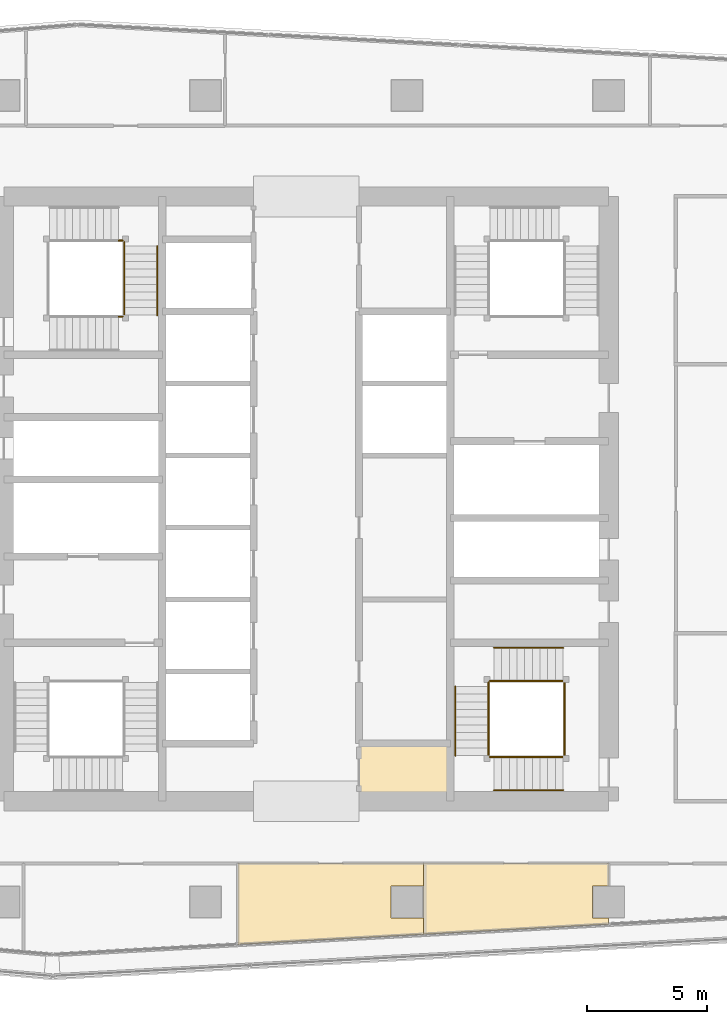
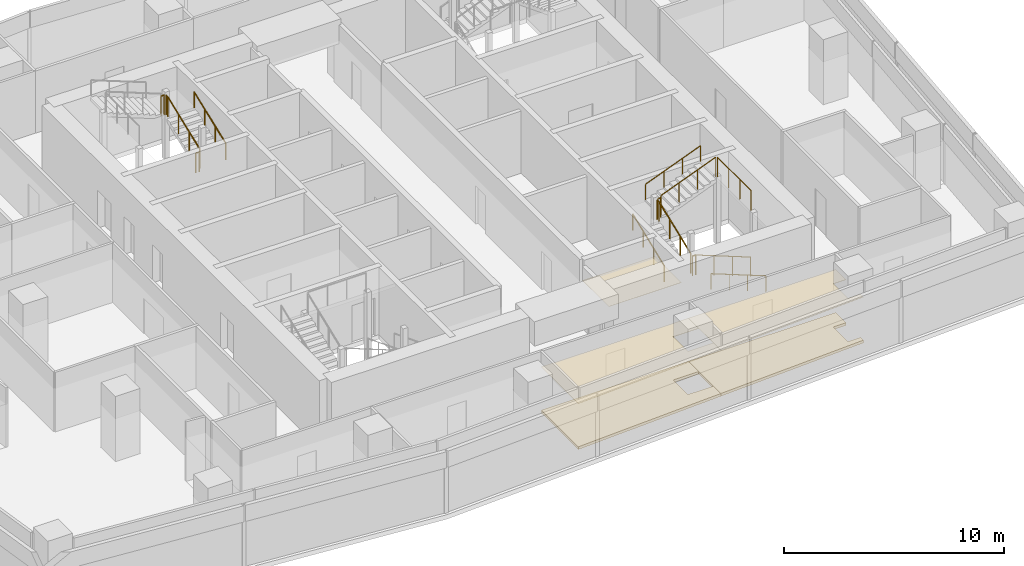
# One storey, part 28 of 30: 15 railings, 5 coverings.
"""IFC4 building model written with IfcOpenShell, lengths in metres."""

from ifc_helpers import new_model, si_unit, direction, frame, origin, origin_2d, place, context, subcontext, project, spatial, polyline, circle, outline, extrude, material, layer, layer_set, type_object, element, save


model = new_model("IFC4")

# Units and contexts
model_context = context("Model", 3, precision=1e-05, world=origin(), true_north=direction((0.0, 1.0)))
body_context = subcontext(model_context, "Body", "Model", "MODEL_VIEW")
ifc_project = project(units=[si_unit("LENGTHUNIT", "METRE"), si_unit("AREAUNIT", "SQUARE_METRE"), si_unit("VOLUMEUNIT", "CUBIC_METRE"), si_unit("PLANEANGLEUNIT", "RADIAN"), si_unit("MASSUNIT", "GRAM", prefix="KILO")], contexts=[model_context])

# Site, building, storey
site_placement = place(None, origin())
site = spatial("IfcSite", under=ifc_project, at=site_placement, CompositionType="ELEMENT")
building_placement = place(site_placement, origin())
building = spatial("IfcBuilding", under=site, at=building_placement, Name="Rekha Terrace Tower", CompositionType="ELEMENT")
storey_placement = place(building_placement, frame((0.0, 0.0, 287.60009765625)))
storey = spatial("IfcBuildingStorey", under=building, at=storey_placement, Name="L73", CompositionType="ELEMENT", Elevation=287.60009765625)

# Coverings
ifc_material_1 = material(Name="Mineral fibre tile in exposed grid", Category="finish")
ifc_layer_1 = layer(ifc_material_1, 0.02001953125)
ifc_layer_set_1 = layer_set([ifc_layer_1], Name="Mineral fibre tile in exposed grid")
covering_type_1 = type_object("IfcCoveringType", Name="CL1 600x1200 office grid ceiling", PredefinedType="CEILING", material=ifc_layer_set_1)
covering_1_placement = place(storey_placement, frame((0.0, 0.0, 2.52978515625)))
element("IfcCovering", 1, at=covering_1_placement, inside=storey, type_object=covering_type_1, Name="Ceiling L73-02", PredefinedType="CEILING", context=body_context, shape_type="SweptSolid", body=[
    extrude(outline(polyline([(50.39892578125, 17.465087890625), (50.39892578125, 18.39990234375), (42.674072265625, 18.39990234375), (42.674072265625, 15.4541015625), (50.39892578125, 15.875), (50.39892578125, 16.135009765625), (49.735107421875, 16.135009765625), (49.735107421875, 17.465087890625), (50.39892578125, 17.465087890625)])), origin(), (0.0, 0.0, 1.0), 0.02001953125),
])
covering_2_placement = place(storey_placement, frame((0.0, 0.0, 2.52978515625)))
element("IfcCovering", 2, at=covering_2_placement, inside=storey, type_object=covering_type_1, Name="Ceiling L73-06", PredefinedType="CEILING", context=body_context, shape_type="SweptSolid", body=[
    extrude(outline(polyline([(34.947998046875, 18.39990234375), (34.947998046875, 15.033935546875), (42.673095703125, 15.4541015625), (42.673095703125, 16.135009765625), (41.3349609375, 16.135009765625), (41.3349609375, 17.465087890625), (42.673095703125, 17.465087890625), (42.673095703125, 18.39990234375), (34.947998046875, 18.39990234375)])), origin(), (0.0, 0.0, 1.0), 0.02001953125),
])
ifc_material_2 = material(Name="Fibre cement board", Category="finish")
ifc_layer_2 = layer(ifc_material_2, 0.014892578125)
ifc_layer_set_2 = layer_set([ifc_layer_2], Name="Fibre cement board")
covering_type_2 = type_object("IfcCoveringType", Name="CL2 moisture-resistant board ceiling", PredefinedType="CEILING", material=ifc_layer_set_2)
covering_3_placement = place(storey_placement, frame((0.0, 0.0, 2.534912109375)))
element("IfcCovering", 3, at=covering_3_placement, inside=storey, type_object=covering_type_2, Name="Ceiling L73-WCA", PredefinedType="CEILING", context=body_context, shape_type="SweptSolid", body=[
    extrude(outline(polyline([(43.800048828125, 23.39990234375), (40.0, 23.39990234375), (40.0, 21.0), (43.800048828125, 21.0), (43.800048828125, 23.39990234375)])), origin(), (0.0, 0.0, 1.0), 0.014892578125),
])

# Railings
ifc_material_3 = material(Name="Stainless steel balustrade", Category="steel")
railing_type_1 = type_object("IfcRailingType", Name="GR1 1100 stair guard", PredefinedType="GUARDRAIL", material=ifc_material_3)
railing_1_placement = place(storey_placement, frame((48.5, 22.840087890625, 0.125)))
element("IfcRailing", 4, at=railing_1_placement, inside=storey, type_object=railing_type_1, Name="Guard ST3 L73 flight 1", PredefinedType="GUARDRAIL", context=body_context, shape_type="SweptSolid", body=[
    extrude(circle(Radius=0.02392578125, at=origin_2d()), frame((0.0, 0.0, 1.076171875), z_axis=(-0.931452331594, 0.0, 0.363863372667), x_axis=(0.0, -1.0, 0.0)), (0.0, 0.0, 1.0), 3.091796875),
    extrude(circle(Radius=0.02099609375, at=origin_2d()), origin(), (0.0, 0.0, 1.0), 1.052001953125),
    extrude(circle(Radius=0.02099609375, at=origin_2d()), frame((-0.9599609375, 0.0, 0.375)), (0.0, 0.0, 1.0), 1.052001953125),
    extrude(circle(Radius=0.02099609375, at=origin_2d()), frame((-1.919921875, 0.0, 0.75)), (0.0, 0.0, 1.0), 1.052001953125),
    extrude(circle(Radius=0.02099609375, at=origin_2d()), frame((-2.8798828125, 0.0, 1.125)), (0.0, 0.0, 1.0), 1.052001953125),
])
railing_2_placement = place(storey_placement, frame((45.389892578125, 22.89990234375, 1.375)))
element("IfcRailing", 5, at=railing_2_placement, inside=storey, type_object=railing_type_1, Name="Guard ST3 L73 flight 2", PredefinedType="GUARDRAIL", context=body_context, shape_type="SweptSolid", body=[
    extrude(circle(Radius=0.02392578125, at=origin_2d()), frame((0.0, 0.0, 1.076171875), z_axis=(0.0, 0.931462784923, 0.363836612098), x_axis=(-1.0, 0.0, 0.0)), (0.0, 0.0, 1.0), 3.092041015625),
    extrude(circle(Radius=0.02099609375, at=origin_2d()), origin(), (0.0, 0.0, 1.0), 1.052001953125),
    extrude(circle(Radius=0.02099609375, at=origin_2d()), frame((0.0, 0.9599609375, 0.375)), (0.0, 0.0, 1.0), 1.052001953125),
    extrude(circle(Radius=0.02099609375, at=origin_2d()), frame((0.0, 1.920166015625, 0.75)), (0.0, 0.0, 1.0), 1.052001953125),
    extrude(circle(Radius=0.02099609375, at=origin_2d()), frame((0.0, 2.880126953125, 1.125)), (0.0, 0.0, 1.0), 1.052001953125),
])
railing_3_placement = place(storey_placement, frame((45.6201171875, 26.010009765625, 2.625)))
element("IfcRailing", 6, at=railing_3_placement, inside=storey, type_object=railing_type_1, Name="Guard ST3 L73 flight 3", PredefinedType="GUARDRAIL", context=body_context, shape_type="SweptSolid", body=[
    extrude(circle(Radius=0.02392578125, at=origin_2d()), frame((0.0, 0.0, 1.076171875), z_axis=(0.931452331594, 0.0, 0.363863372667), x_axis=(0.0, 1.0, 0.0)), (0.0, 0.0, 1.0), 3.091796875),
    extrude(circle(Radius=0.02099609375, at=origin_2d()), origin(), (0.0, 0.0, 1.0), 1.052001953125),
    extrude(circle(Radius=0.02099609375, at=origin_2d()), frame((0.9599609375, 0.0, 0.375)), (0.0, 0.0, 1.0), 1.052001953125),
    extrude(circle(Radius=0.02099609375, at=origin_2d()), frame((1.919921875, 0.0, 0.75)), (0.0, 0.0, 1.0), 1.052001953125),
    extrude(circle(Radius=0.02099609375, at=origin_2d()), frame((2.8798828125, 0.0, 1.125)), (0.0, 0.0, 1.0), 1.052001953125),
])
railing_4_placement = place(storey_placement, frame((45.6201171875, 22.840087890625, 1.25)))
element("IfcRailing", 7, at=railing_4_placement, inside=storey, type_object=railing_type_1, Name="Guard ST3 L73 landing 1", PredefinedType="GUARDRAIL", context=body_context, shape_type="SweptSolid", body=[
    extrude(circle(Radius=0.02392578125, at=origin_2d()), frame((0.0, 0.0, 1.076171875), z_axis=(-1.0, 0.0, 0.0), x_axis=(0.0, -1.0, 0.0)), (0.0, 0.0, 1.0), 0.170166015625),
    extrude(circle(Radius=0.02099609375, at=origin_2d()), origin(), (0.0, 0.0, 1.0), 1.052001953125),
    extrude(circle(Radius=0.02099609375, at=origin_2d()), frame((-0.170166015625, 0.0, 0.0)), (0.0, 0.0, 1.0), 1.052001953125),
])
railing_5_placement = place(storey_placement, frame((45.389892578125, 25.780029296875, 2.5)))
element("IfcRailing", 8, at=railing_5_placement, inside=storey, type_object=railing_type_1, Name="Guard ST3 L73 landing 2", PredefinedType="GUARDRAIL", context=body_context, shape_type="SweptSolid", body=[
    extrude(circle(Radius=0.02392578125, at=origin_2d()), frame((0.0, 0.0, 1.076171875), z_axis=(0.0, 1.0, 0.0), x_axis=(-1.0, 0.0, 0.0)), (0.0, 0.0, 1.0), 0.169921875),
    extrude(circle(Radius=0.02099609375, at=origin_2d()), origin(), (0.0, 0.0, 1.0), 1.052001953125),
    extrude(circle(Radius=0.02099609375, at=origin_2d()), frame((0.0, 0.169921875, 0.0)), (0.0, 0.0, 1.0), 1.052001953125),
])
railing_6_placement = place(storey_placement, frame((45.6201171875, 26.010009765625, 2.5)))
element("IfcRailing", 9, at=railing_6_placement, inside=storey, type_object=railing_type_1, Name="Guard ST3 L73 landing 3", PredefinedType="GUARDRAIL", context=body_context, shape_type="SweptSolid", body=[
    extrude(circle(Radius=0.02392578125, at=origin_2d()), frame((0.0, 0.0, 1.076171875), z_axis=(-1.0, 0.0, 0.0), x_axis=(0.0, -1.0, 0.0)), (0.0, 0.0, 1.0), 0.170166015625),
    extrude(circle(Radius=0.02099609375, at=origin_2d()), origin(), (0.0, 0.0, 1.0), 1.052001953125),
    extrude(circle(Radius=0.02099609375, at=origin_2d()), frame((-0.170166015625, 0.0, 0.0)), (0.0, 0.0, 1.0), 1.052001953125),
])
railing_7_placement = place(storey_placement, frame((48.56005859375, 22.89990234375, 3.75)))
element("IfcRailing", 10, at=railing_7_placement, inside=storey, type_object=railing_type_1, Name="Guard ST3 L73 landing 4", PredefinedType="GUARDRAIL", context=body_context, shape_type="SweptSolid", body=[
    extrude(circle(Radius=0.02392578125, at=origin_2d()), frame((0.0, 0.0, 1.076171875), z_axis=(0.0, 1.0, 0.0), x_axis=(-1.0, 0.0, 0.0)), (0.0, 0.0, 1.0), 3.050048828125),
    extrude(circle(Radius=0.02099609375, at=origin_2d()), origin(), (0.0, 0.0, 1.0), 1.052001953125),
    extrude(circle(Radius=0.02099609375, at=origin_2d()), frame((0.0, 1.0166015625, 0.0)), (0.0, 0.0, 1.0), 1.052001953125),
    extrude(circle(Radius=0.02099609375, at=origin_2d()), frame((0.0, 2.033447265625, 0.0)), (0.0, 0.0, 1.0), 1.052001953125),
    extrude(circle(Radius=0.02099609375, at=origin_2d()), frame((0.0, 3.050048828125, 0.0)), (0.0, 0.0, 1.0), 1.052001953125),
])
railing_8_placement = place(storey_placement, frame((30.2099609375, 41.25, 1.375)))
element("IfcRailing", 11, at=railing_8_placement, inside=storey, type_object=railing_type_1, Name="Guard ST4 L73 flight 2", PredefinedType="GUARDRAIL", context=body_context, shape_type="SweptSolid", body=[
    extrude(circle(Radius=0.02392578125, at=origin_2d()), frame((0.0, 0.0, 1.076171875), z_axis=(0.0, 0.931452331594, 0.363863372667), x_axis=(-1.0, 0.0, 0.0)), (0.0, 0.0, 1.0), 3.091796875),
    extrude(circle(Radius=0.02099609375, at=origin_2d()), origin(), (0.0, 0.0, 1.0), 1.052001953125),
    extrude(circle(Radius=0.02099609375, at=origin_2d()), frame((0.0, 0.9599609375, 0.375)), (0.0, 0.0, 1.0), 1.052001953125),
    extrude(circle(Radius=0.02099609375, at=origin_2d()), frame((0.0, 1.919921875, 0.75)), (0.0, 0.0, 1.0), 1.052001953125),
    extrude(circle(Radius=0.02099609375, at=origin_2d()), frame((0.0, 2.8798828125, 1.125)), (0.0, 0.0, 1.0), 1.052001953125),
])
railing_9_placement = place(storey_placement, frame((29.97998046875, 41.18994140625, 1.25)))
element("IfcRailing", 12, at=railing_9_placement, inside=storey, type_object=railing_type_1, Name="Guard ST4 L73 landing 1", PredefinedType="GUARDRAIL", context=body_context, shape_type="SweptSolid", body=[
    extrude(circle(Radius=0.02392578125, at=origin_2d()), frame((0.0, 0.0, 1.076171875), z_axis=(1.0, 0.0, 0.0), x_axis=(0.0, 1.0, 0.0)), (0.0, 0.0, 1.0), 0.169921875),
    extrude(circle(Radius=0.02099609375, at=origin_2d()), origin(), (0.0, 0.0, 1.0), 1.052001953125),
    extrude(circle(Radius=0.02099609375, at=origin_2d()), frame((0.169921875, 0.0, 0.0)), (0.0, 0.0, 1.0), 1.052001953125),
])
railing_10_placement = place(storey_placement, frame((30.2099609375, 44.1298828125, 2.5)))
element("IfcRailing", 13, at=railing_10_placement, inside=storey, type_object=railing_type_1, Name="Guard ST4 L73 landing 2", PredefinedType="GUARDRAIL", context=body_context, shape_type="SweptSolid", body=[
    extrude(circle(Radius=0.02392578125, at=origin_2d()), frame((0.0, 0.0, 1.076171875), z_axis=(0.0, 1.0, 0.0), x_axis=(-1.0, 0.0, 0.0)), (0.0, 0.0, 1.0), 0.170166015625),
    extrude(circle(Radius=0.02099609375, at=origin_2d()), origin(), (0.0, 0.0, 1.0), 1.052001953125),
    extrude(circle(Radius=0.02099609375, at=origin_2d()), frame((0.0, 0.170166015625, 0.0)), (0.0, 0.0, 1.0), 1.052001953125),
])
railing_11_placement = place(storey_placement, frame((29.97998046875, 44.360107421875, 2.5)))
element("IfcRailing", 14, at=railing_11_placement, inside=storey, type_object=railing_type_1, Name="Guard ST4 L73 landing 3", PredefinedType="GUARDRAIL", context=body_context, shape_type="SweptSolid", body=[
    extrude(circle(Radius=0.02392578125, at=origin_2d()), frame((0.0, 0.0, 1.076171875), z_axis=(1.0, 0.0, 0.0), x_axis=(0.0, 1.0, 0.0)), (0.0, 0.0, 1.0), 0.169921875),
    extrude(circle(Radius=0.02099609375, at=origin_2d()), origin(), (0.0, 0.0, 1.0), 1.052001953125),
    extrude(circle(Radius=0.02099609375, at=origin_2d()), frame((0.169921875, 0.0, 0.0)), (0.0, 0.0, 1.0), 1.052001953125),
])
ifc_material_4 = material(Name="Stainless steel tube", Category="steel")
railing_type_2 = type_object("IfcRailingType", Name="HR1 900 stair handrail", PredefinedType="HANDRAIL", material=ifc_material_4)
railing_12_placement = place(storey_placement, frame((48.5, 21.4599609375, 0.125)))
element("IfcRailing", 15, at=railing_12_placement, inside=storey, type_object=railing_type_2, Name="Handrail ST3 L73 flight 1", PredefinedType="HANDRAIL", context=body_context, shape_type="SweptSolid", body=[
    extrude(circle(Radius=0.02392578125, at=origin_2d()), frame((0.0, 0.0, 0.8759765625), z_axis=(-0.931452331594, 0.0, 0.363863372667), x_axis=(0.0, -1.0, 0.0)), (0.0, 0.0, 1.0), 3.091796875),
    extrude(circle(Radius=0.02099609375, at=origin_2d()), origin(), (0.0, 0.0, 1.0), 0.851806640625),
    extrude(circle(Radius=0.02099609375, at=origin_2d()), frame((-0.9599609375, 0.0, 0.375)), (0.0, 0.0, 1.0), 0.851806640625),
    extrude(circle(Radius=0.02099609375, at=origin_2d()), frame((-1.919921875, 0.0, 0.75)), (0.0, 0.0, 1.0), 0.851806640625),
    extrude(circle(Radius=0.02099609375, at=origin_2d()), frame((-2.8798828125, 0.0, 1.125)), (0.0, 0.0, 1.0), 0.851806640625),
])
railing_13_placement = place(storey_placement, frame((44.010009765625, 22.89990234375, 1.375)))
element("IfcRailing", 16, at=railing_13_placement, inside=storey, type_object=railing_type_2, Name="Handrail ST3 L73 flight 2", PredefinedType="HANDRAIL", context=body_context, shape_type="SweptSolid", body=[
    extrude(circle(Radius=0.02392578125, at=origin_2d()), frame((0.0, 0.0, 0.8759765625), z_axis=(0.0, 0.931462784923, 0.363836612098), x_axis=(-1.0, 0.0, 0.0)), (0.0, 0.0, 1.0), 3.092041015625),
    extrude(circle(Radius=0.02099609375, at=origin_2d()), origin(), (0.0, 0.0, 1.0), 0.851806640625),
    extrude(circle(Radius=0.02099609375, at=origin_2d()), frame((0.0, 0.9599609375, 0.375)), (0.0, 0.0, 1.0), 0.851806640625),
    extrude(circle(Radius=0.02099609375, at=origin_2d()), frame((0.0, 1.920166015625, 0.75)), (0.0, 0.0, 1.0), 0.851806640625),
    extrude(circle(Radius=0.02099609375, at=origin_2d()), frame((0.0, 2.880126953125, 1.125)), (0.0, 0.0, 1.0), 0.851806640625),
])
railing_14_placement = place(storey_placement, frame((45.6201171875, 27.389892578125, 2.625)))
element("IfcRailing", 17, at=railing_14_placement, inside=storey, type_object=railing_type_2, Name="Handrail ST3 L73 flight 3", PredefinedType="HANDRAIL", context=body_context, shape_type="SweptSolid", body=[
    extrude(circle(Radius=0.02392578125, at=origin_2d()), frame((0.0, 0.0, 0.8759765625), z_axis=(0.931452331594, 0.0, 0.363863372667), x_axis=(0.0, 1.0, 0.0)), (0.0, 0.0, 1.0), 3.091796875),
    extrude(circle(Radius=0.02099609375, at=origin_2d()), origin(), (0.0, 0.0, 1.0), 0.851806640625),
    extrude(circle(Radius=0.02099609375, at=origin_2d()), frame((0.9599609375, 0.0, 0.375)), (0.0, 0.0, 1.0), 0.851806640625),
    extrude(circle(Radius=0.02099609375, at=origin_2d()), frame((1.919921875, 0.0, 0.75)), (0.0, 0.0, 1.0), 0.851806640625),
    extrude(circle(Radius=0.02099609375, at=origin_2d()), frame((2.8798828125, 0.0, 1.125)), (0.0, 0.0, 1.0), 0.851806640625),
])
railing_15_placement = place(storey_placement, frame((31.590087890625, 41.25, 1.375)))
element("IfcRailing", 18, at=railing_15_placement, inside=storey, type_object=railing_type_2, Name="Handrail ST4 L73 flight 2", PredefinedType="HANDRAIL", context=body_context, shape_type="SweptSolid", body=[
    extrude(circle(Radius=0.02392578125, at=origin_2d()), frame((0.0, 0.0, 0.8759765625), z_axis=(0.0, 0.931452331594, 0.363863372667), x_axis=(-1.0, 0.0, 0.0)), (0.0, 0.0, 1.0), 3.091796875),
    extrude(circle(Radius=0.02099609375, at=origin_2d()), origin(), (0.0, 0.0, 1.0), 0.851806640625),
    extrude(circle(Radius=0.02099609375, at=origin_2d()), frame((0.0, 0.9599609375, 0.375)), (0.0, 0.0, 1.0), 0.851806640625),
    extrude(circle(Radius=0.02099609375, at=origin_2d()), frame((0.0, 1.919921875, 0.75)), (0.0, 0.0, 1.0), 0.851806640625),
    extrude(circle(Radius=0.02099609375, at=origin_2d()), frame((0.0, 2.8798828125, 1.125)), (0.0, 0.0, 1.0), 0.851806640625),
])

# Coverings
ifc_material_5 = material(Name="Calcium sulphate panels on steel pedestals", Category="steel")
ifc_layer_3 = layer(ifc_material_5, 0.14990234375)
ifc_layer_set_3 = layer_set([ifc_layer_3], Name="Calcium sulphate panels on steel pedestals")
covering_type_3 = type_object("IfcCoveringType", Name="RF1 150 raised access floor", PredefinedType="FLOORING", material=ifc_layer_set_3)
covering_4_placement = place(storey_placement, origin())
element("IfcCovering", 19, at=covering_4_placement, inside=storey, type_object=covering_type_3, Name="Raised floor L73-02", PredefinedType="FLOORING", context=body_context, shape_type="SweptSolid", body=[
    extrude(outline(polyline([(50.39892578125, 17.465087890625), (50.39892578125, 18.39990234375), (42.674072265625, 18.39990234375), (42.674072265625, 15.4541015625), (50.39892578125, 15.875), (50.39892578125, 16.135009765625), (49.735107421875, 16.135009765625), (49.735107421875, 17.465087890625), (50.39892578125, 17.465087890625)])), origin(), (0.0, 0.0, 1.0), 0.14990234375),
])
covering_5_placement = place(storey_placement, origin())
element("IfcCovering", 20, at=covering_5_placement, inside=storey, type_object=covering_type_3, Name="Raised floor L73-06", PredefinedType="FLOORING", context=body_context, shape_type="SweptSolid", body=[
    extrude(outline(polyline([(34.947998046875, 18.39990234375), (34.947998046875, 15.033935546875), (42.673095703125, 15.4541015625), (42.673095703125, 16.135009765625), (41.3349609375, 16.135009765625), (41.3349609375, 17.465087890625), (42.673095703125, 17.465087890625), (42.673095703125, 18.39990234375), (34.947998046875, 18.39990234375)])), origin(), (0.0, 0.0, 1.0), 0.14990234375),
])

save(model, "model.ifc")
